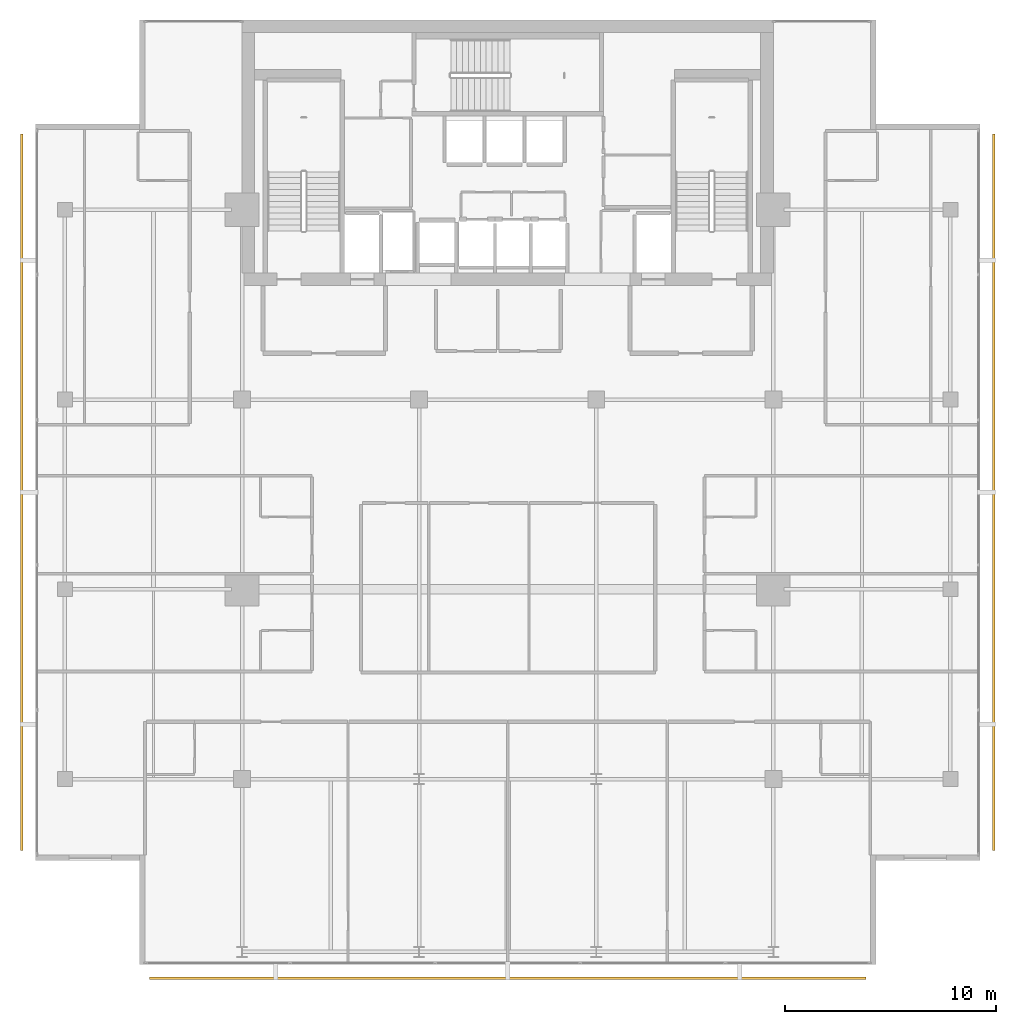
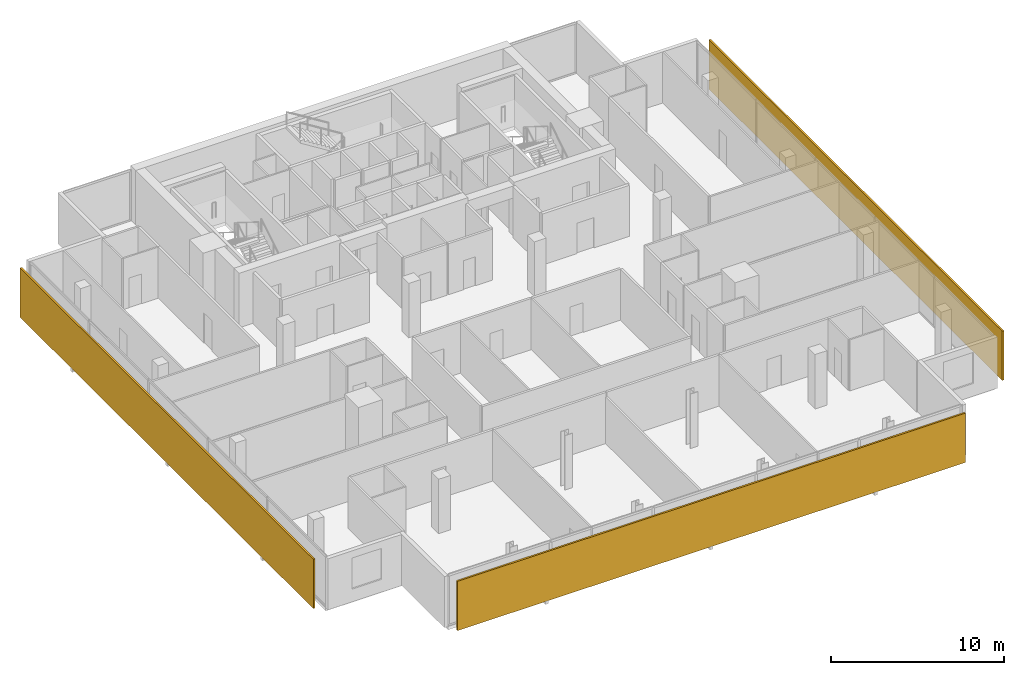
# One storey, part 24 of 25: 3 shading devices.
"""IFC4 building model written with IfcOpenShell, lengths in metres."""

from ifc_helpers import new_model, si_unit, direction, frame, origin, origin_2d, place, context, subcontext, project, spatial, rectangle, extrude, material, layer, layer_set, type_object, element, save


model = new_model("IFC4")

# Units and contexts
model_context = context("Model", 3, precision=1e-05, world=origin(), true_north=direction((0.0, 1.0)))
body_context = subcontext(model_context, "Body", "Model", "MODEL_VIEW")
ifc_project = project(units=[si_unit("LENGTHUNIT", "METRE"), si_unit("AREAUNIT", "SQUARE_METRE"), si_unit("VOLUMEUNIT", "CUBIC_METRE"), si_unit("PLANEANGLEUNIT", "RADIAN"), si_unit("MASSUNIT", "GRAM", prefix="KILO")], contexts=[model_context])

# Site, building, storey
site_placement = place(None, origin())
site = spatial("IfcSite", under=ifc_project, at=site_placement, CompositionType="ELEMENT")
building_placement = place(site_placement, origin())
building = spatial("IfcBuilding", under=site, at=building_placement, Name="Maruvema Waterfront Hotel and Observation Tower", CompositionType="ELEMENT")
storey_placement = place(building_placement, frame((0.0, 0.0, 277.89990234375)))
storey = spatial("IfcBuildingStorey", under=building, at=storey_placement, Name="L68", CompositionType="ELEMENT", Elevation=277.89990234375)

# Shading devices
ifc_material = material(Name="Honed travertine stone and anodised architectural bronze", Category="masonry")
ifc_layer = layer(ifc_material, 0.1201171875, Name="Ventilated Outer Skin Cobogo Stone-and-Bronze Screen 120 mm")
ifc_layer_set = layer_set([ifc_layer], Name="Honed travertine stone and anodised architectural bronze")
shading_device_type = type_object("IfcShadingDeviceType", Name="Ventilated Outer Skin Cobogo Stone-and-Bronze Screen 120 mm", PredefinedType="USERDEFINED", material=ifc_layer_set)
for number, where, z_axis, x_axis, name in (
    (1, (37.800048828125, 8.550048828125, 0.06005859375), (0.0, 0.0, 1.0), (1.0, 0.0, 0.0), "L68 Ventilated Double-Skin Outer Cobogo Screen OS-L68-S"),
    (2, (60.85009765625, 31.60009765625, 0.06005859375), (0.0, 0.0, 1.0), (0.0, 1.0, 0.0), "L68 Ventilated Double-Skin Outer Cobogo Screen OS-L68-E"),
    (3, (14.75, 31.60009765625, 0.06005859375), (0.0, 0.0, 1.0), (0.0, -1.0, 0.0), "L68 Ventilated Double-Skin Outer Cobogo Screen OS-L68-W"),
):
    element("IfcShadingDevice", number, at=place(storey_placement, frame(where, z_axis=z_axis, x_axis=x_axis)), inside=storey, type_object=shading_device_type, Name=name, ObjectType="OUTER SKIN SCREEN", PredefinedType="USERDEFINED", context=body_context, shape_type="SweptSolid", body=[
        extrude(rectangle(XDim=34.0, YDim=0.1201171875, at=origin_2d()), origin(), (0.0, 0.0, 1.0), 3.489990234375),
    ])

save(model, "model.ifc")
